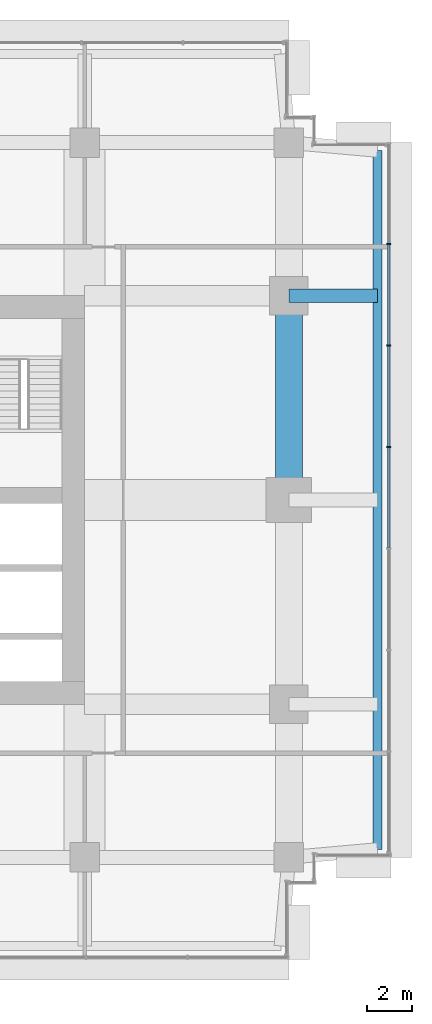
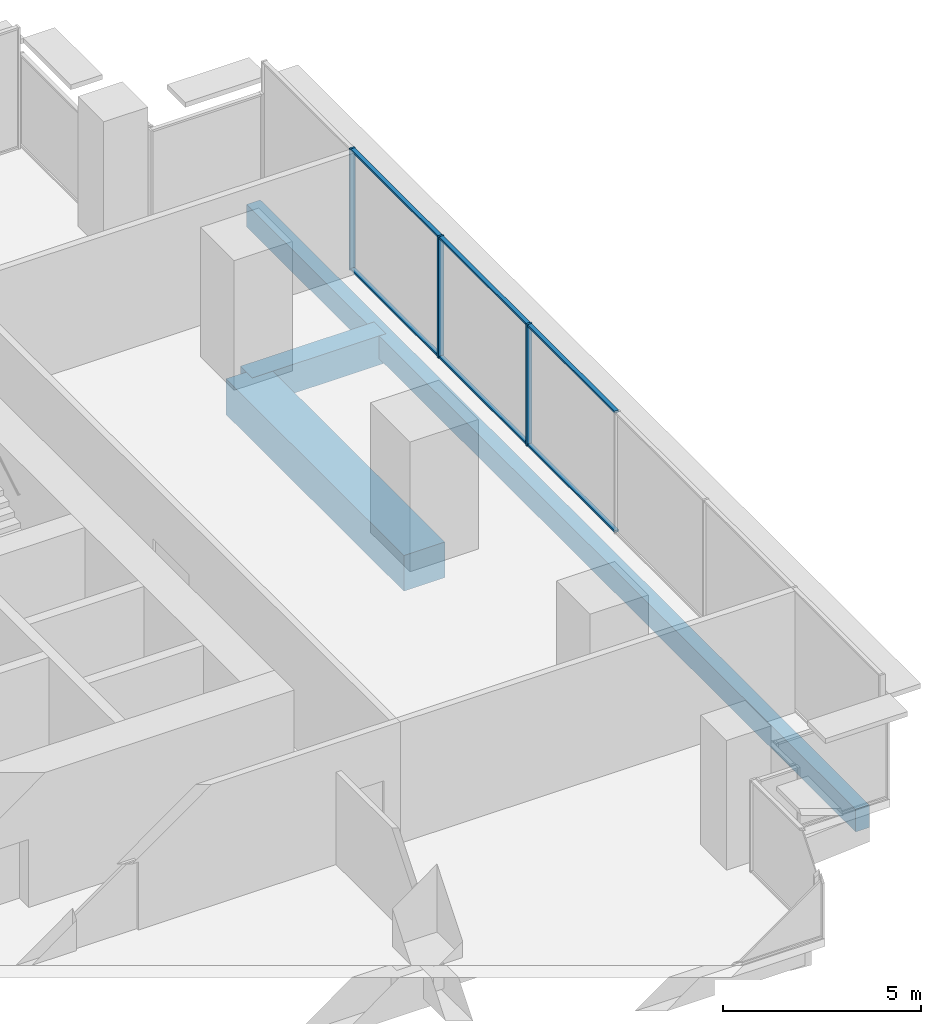
# One storey, part 6 of 13: 9 members, 3 beams, 1 element without a shape of its own.
"""IFC4 building model written with IfcOpenShell, lengths in metres."""

from ifc_helpers import new_model, si_unit, direction, frame, origin, origin_2d, place, context, subcontext, project, spatial, rectangle, extrude, material, layer, layer_set, material_profile, profile_set, type_object, element, aggregate, save


model = new_model("IFC4")

# Units and contexts
model_context = context("Model", 3, precision=1e-05, world=origin(), true_north=direction((0.0, 1.0)))
body_context = subcontext(model_context, "Body", "Model", "MODEL_VIEW")
ifc_project = project(units=[si_unit("LENGTHUNIT", "METRE"), si_unit("AREAUNIT", "SQUARE_METRE"), si_unit("VOLUMEUNIT", "CUBIC_METRE"), si_unit("PLANEANGLEUNIT", "RADIAN"), si_unit("MASSUNIT", "GRAM", prefix="KILO")], contexts=[model_context])

# Site, building, storey
site_placement = place(None, origin())
site = spatial("IfcSite", under=ifc_project, at=site_placement, CompositionType="ELEMENT")
building_placement = place(site_placement, origin())
building = spatial("IfcBuilding", under=site, at=building_placement, Name="Namib Vertical Campus", CompositionType="ELEMENT")
storey_placement = place(building_placement, frame((0.0, 0.0, 293.0)))
storey = spatial("IfcBuildingStorey", under=building, at=storey_placement, Name="L69", CompositionType="ELEMENT", Elevation=293.0)

# Beam
ifc_material_1 = material(Name="Concrete C40/50", Category="concrete")
ifc_material_profile_1 = material_profile(ifc_material_1, rectangle(XDim=0.60009765625, YDim=0.89990234375, at=origin_2d()))
ifc_profile_set_1 = profile_set([ifc_material_profile_1], Name="Concrete C40/50")
beam_type_1 = type_object("IfcBeamType", Name="Cantilever girder RC 600x900", PredefinedType="BEAM", material=ifc_profile_set_1)
beam_1_placement = place(storey_placement, frame((36.0, 29.25, -0.699951171875), z_axis=(1.0, 0.0, 0.0), x_axis=(0.0, 1.0, 0.0)))
element("IfcBeam", 1, at=beam_1_placement, inside=storey, type_object=beam_type_1, Name="Beam B3 L69", PredefinedType="BEAM", context=body_context, shape_type="SweptSolid", body=[
    extrude(rectangle(XDim=0.60009765625, YDim=0.89990234375, at=origin_2d()), origin(), (0.0, 0.0, 1.0), 3.89990234375),
])

# Curtain wall, members
ifc_material_2 = material(Name="Black aluminium curtain wall", Category="aluminium")
ifc_layer = layer(ifc_material_2, 0.199951171875)
ifc_layer_set = layer_set([ifc_layer], Name="Sky lounge curtain wall CW-SL")
curtain_wall_type = type_object("IfcCurtainWallType", Name="Sky lounge curtain wall CW-SL", PredefinedType="USERDEFINED", material=ifc_layer_set)
curtain_wall_placement = place(storey_placement, origin())
curtain_wall = element("IfcCurtainWall", 2, at=curtain_wall_placement, inside=storey, type_object=curtain_wall_type, Name="Curtain wall CW-SL L69 F06-1", ObjectType="CURTAIN WALL", PredefinedType="USERDEFINED")
ifc_material_3 = material(Name="Black anodised aluminium", Category="aluminium")
ifc_material_profile_2 = material_profile(ifc_material_3, rectangle(XDim=0.06005859375, YDim=0.159912109375, at=origin_2d()))
ifc_profile_set_2 = profile_set([ifc_material_profile_2], Name="Black anodised aluminium")
member_type_1 = type_object("IfcMemberType", Name="Curtain wall mullion 60x160", PredefinedType="MULLION", material=ifc_profile_set_2)
member_1_placement = place(storey_placement, frame((40.39990234375, 22.585693359375, 0.0), z_axis=(0.0, 0.0, 1.0), x_axis=(0.0, 1.0, 0.0)))
member_1 = element("IfcMember", 3, at=member_1_placement, type_object=member_type_1, Name="CW-SL mullion 5", PredefinedType="MULLION", context=body_context, shape_type="SweptSolid", body=[
    extrude(rectangle(XDim=0.06005859375, YDim=0.159912109375, at=origin_2d()), origin(), (0.0, 0.0, 1.0), 3.75),
])
member_2_placement = place(storey_placement, frame((40.39990234375, 27.05712890625, 0.0), z_axis=(0.0, 0.0, 1.0), x_axis=(0.0, 1.0, 0.0)))
member_2 = element("IfcMember", 4, at=member_2_placement, type_object=member_type_1, Name="CW-SL mullion 6", PredefinedType="MULLION", context=body_context, shape_type="SweptSolid", body=[
    extrude(rectangle(XDim=0.06005859375, YDim=0.159912109375, at=origin_2d()), origin(), (0.0, 0.0, 1.0), 3.75),
])
member_3_placement = place(storey_placement, frame((40.39990234375, 31.528564453125, 0.0), z_axis=(0.0, 0.0, 1.0), x_axis=(0.0, 1.0, 0.0)))
member_3 = element("IfcMember", 5, at=member_3_placement, type_object=member_type_1, Name="CW-SL mullion 7", PredefinedType="MULLION", context=body_context, shape_type="SweptSolid", body=[
    extrude(rectangle(XDim=0.06005859375, YDim=0.159912109375, at=origin_2d()), origin(), (0.0, 0.0, 1.0), 3.75),
])
ifc_material_4 = material(Name="Black anodised aluminium", Category="aluminium")
ifc_material_profile_3 = material_profile(ifc_material_4, rectangle(XDim=0.06005859375, YDim=0.1201171875, at=origin_2d()))
ifc_profile_set_3 = profile_set([ifc_material_profile_3], Name="Black anodised aluminium")
member_type_2 = type_object("IfcMemberType", Name="Curtain wall transom 60x120", PredefinedType="USERDEFINED", material=ifc_profile_set_3)
member_4_placement = place(storey_placement, frame((40.39990234375, 18.144287109375, 0.030029296875), z_axis=(0.0, 1.0, 0.0), x_axis=(0.0, 0.0, 1.0)))
member_4 = element("IfcMember", 6, at=member_4_placement, type_object=member_type_2, Name="CW-SL transom 4.1", ObjectType="TRANSOM", PredefinedType="USERDEFINED", context=body_context, shape_type="SweptSolid", body=[
    extrude(rectangle(XDim=0.06005859375, YDim=0.1201171875, at=origin_2d()), origin(), (0.0, 0.0, 1.0), 4.411376953125),
])
member_5_placement = place(storey_placement, frame((40.39990234375, 18.144287109375, 3.719970703125), z_axis=(0.0, 1.0, 0.0), x_axis=(0.0, 0.0, 1.0)))
member_5 = element("IfcMember", 7, at=member_5_placement, type_object=member_type_2, Name="CW-SL transom 4.2", ObjectType="TRANSOM", PredefinedType="USERDEFINED", context=body_context, shape_type="SweptSolid", body=[
    extrude(rectangle(XDim=0.06005859375, YDim=0.1201171875, at=origin_2d()), origin(), (0.0, 0.0, 1.0), 4.411376953125),
])
member_6_placement = place(storey_placement, frame((40.39990234375, 22.61572265625, 0.030029296875), z_axis=(0.0, 1.0, 0.0), x_axis=(0.0, 0.0, 1.0)))
member_6 = element("IfcMember", 8, at=member_6_placement, type_object=member_type_2, Name="CW-SL transom 5.1", ObjectType="TRANSOM", PredefinedType="USERDEFINED", context=body_context, shape_type="SweptSolid", body=[
    extrude(rectangle(XDim=0.06005859375, YDim=0.1201171875, at=origin_2d()), origin(), (0.0, 0.0, 1.0), 4.411376953125),
])
member_7_placement = place(storey_placement, frame((40.39990234375, 22.61572265625, 3.719970703125), z_axis=(0.0, 1.0, 0.0), x_axis=(0.0, 0.0, 1.0)))
member_7 = element("IfcMember", 9, at=member_7_placement, type_object=member_type_2, Name="CW-SL transom 5.2", ObjectType="TRANSOM", PredefinedType="USERDEFINED", context=body_context, shape_type="SweptSolid", body=[
    extrude(rectangle(XDim=0.06005859375, YDim=0.1201171875, at=origin_2d()), origin(), (0.0, 0.0, 1.0), 4.411376953125),
])
member_8_placement = place(storey_placement, frame((40.39990234375, 27.087158203125, 0.030029296875), z_axis=(0.0, 1.0, 0.0), x_axis=(0.0, 0.0, 1.0)))
member_8 = element("IfcMember", 10, at=member_8_placement, type_object=member_type_2, Name="CW-SL transom 6.1", ObjectType="TRANSOM", PredefinedType="USERDEFINED", context=body_context, shape_type="SweptSolid", body=[
    extrude(rectangle(XDim=0.06005859375, YDim=0.1201171875, at=origin_2d()), origin(), (0.0, 0.0, 1.0), 4.411376953125),
])
member_9_placement = place(storey_placement, frame((40.39990234375, 27.087158203125, 3.719970703125), z_axis=(0.0, 1.0, 0.0), x_axis=(0.0, 0.0, 1.0)))
member_9 = element("IfcMember", 11, at=member_9_placement, type_object=member_type_2, Name="CW-SL transom 6.2", ObjectType="TRANSOM", PredefinedType="USERDEFINED", context=body_context, shape_type="SweptSolid", body=[
    extrude(rectangle(XDim=0.06005859375, YDim=0.1201171875, at=origin_2d()), origin(), (0.0, 0.0, 1.0), 4.411376953125),
])
aggregate(curtain_wall, [member_1, member_2, member_3, member_4, member_5, member_6, member_7, member_8, member_9])

# Beams
ifc_material_5 = material(Name="Concrete C40/50", Category="concrete")
ifc_material_profile_4 = material_profile(ifc_material_5, rectangle(XDim=0.39990234375, YDim=0.699951171875, at=origin_2d()))
ifc_profile_set_4 = profile_set([ifc_material_profile_4], Name="Concrete C40/50")
beam_type_2 = type_object("IfcBeamType", Name="Edge beam RC 400x700", PredefinedType="SPANDREL", material=ifc_profile_set_4)
beam_2_placement = place(storey_placement, frame((39.89990234375, 4.85009765625, -0.60009765625), z_axis=(0.0, 1.0, 0.0), x_axis=(-1.0, 0.0, 0.0)))
element("IfcBeam", 12, at=beam_2_placement, inside=storey, type_object=beam_type_2, Name="Beam B4 L69", PredefinedType="SPANDREL", context=body_context, shape_type="SweptSolid", body=[
    extrude(rectangle(XDim=0.39990234375, YDim=0.699951171875, at=origin_2d()), origin(), (0.0, 0.0, 1.0), 30.7998046875),
])
ifc_material_6 = material(Name="Concrete C40/50", Category="concrete")
ifc_material_profile_5 = material_profile(ifc_material_6, rectangle(XDim=1.199951171875, YDim=1.10009765625, at=origin_2d()))
ifc_profile_set_5 = profile_set([ifc_material_profile_5], Name="Concrete C40/50")
beam_type_3 = type_object("IfcBeamType", Name="Face ring beam RC 1200x1100", PredefinedType="BEAM", material=ifc_profile_set_5)
beam_3_placement = place(storey_placement, frame((36.0, 20.25, -0.800048828125), z_axis=(0.0, 1.0, 0.0), x_axis=(-1.0, 0.0, 0.0)))
element("IfcBeam", 13, at=beam_3_placement, inside=storey, type_object=beam_type_3, Name="Beam B11 L69", PredefinedType="BEAM", context=body_context, shape_type="SweptSolid", body=[
    extrude(rectangle(XDim=1.199951171875, YDim=1.10009765625, at=origin_2d()), origin(), (0.0, 0.0, 1.0), 9.0),
])

save(model, "model.ifc")
